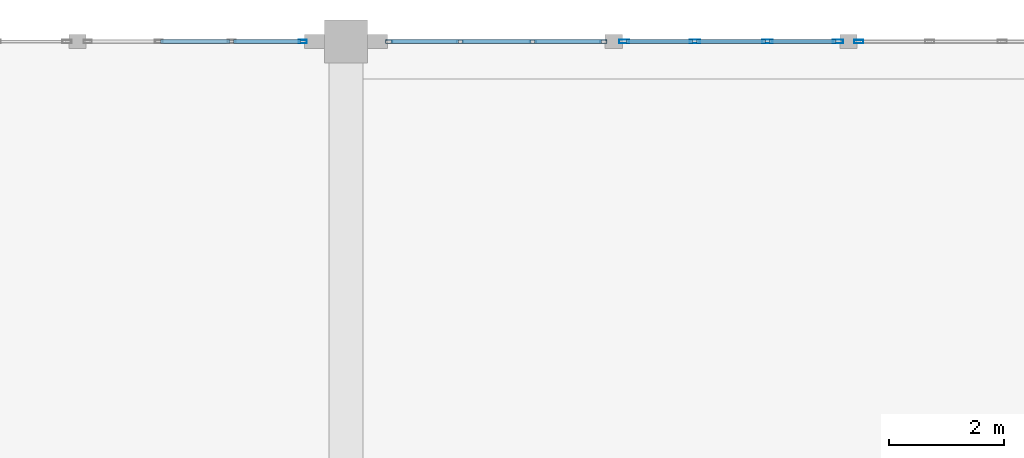
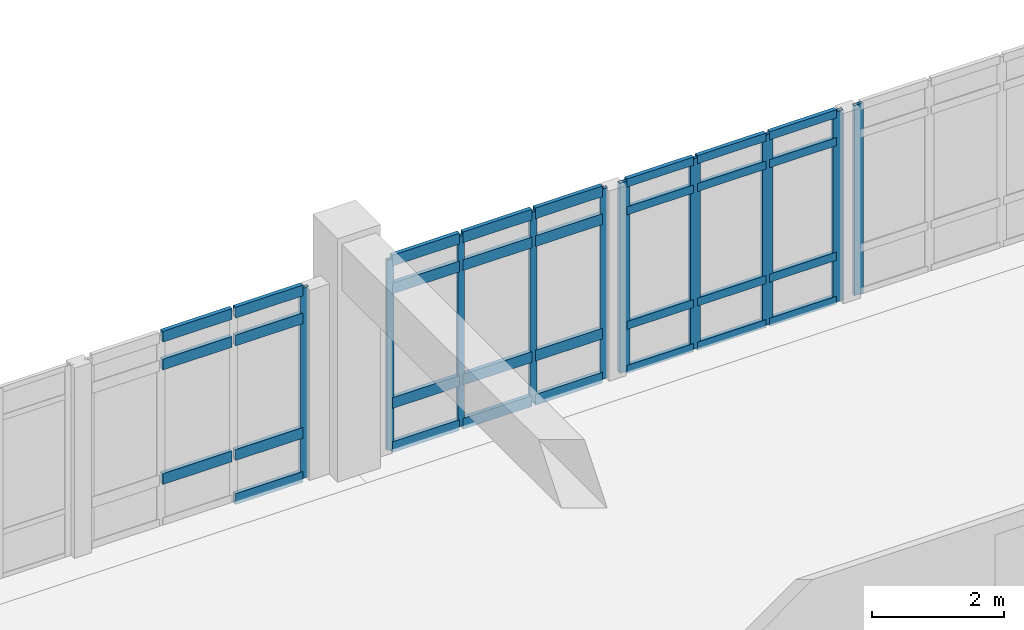
# One storey, part 46 of 109: 41 members, 4 elements without a shape of their own.
"""IFC4 building model written with IfcOpenShell, lengths in metres."""

from ifc_helpers import new_model, si_unit, direction, frame, origin, origin_2d, place, context, subcontext, project, spatial, hollow_rectangle, extrude, material, layer, layer_set, material_profile, profile_set, type_object, element, aggregate, save


model = new_model("IFC4")

# Units and contexts
model_context = context("Model", 3, precision=1e-05, world=origin(), true_north=direction((0.0, 1.0)))
body_context = subcontext(model_context, "Body", "Model", "MODEL_VIEW")
ifc_project = project(units=[si_unit("LENGTHUNIT", "METRE"), si_unit("AREAUNIT", "SQUARE_METRE"), si_unit("VOLUMEUNIT", "CUBIC_METRE"), si_unit("PLANEANGLEUNIT", "RADIAN"), si_unit("MASSUNIT", "GRAM", prefix="KILO")], contexts=[model_context])

# Site, building, storey
site_placement = place(None, origin())
site = spatial("IfcSite", under=ifc_project, at=site_placement, CompositionType="ELEMENT")
building_placement = place(site_placement, origin())
building = spatial("IfcBuilding", under=site, at=building_placement, Name="Fikremerkos Civic Library", CompositionType="ELEMENT")
storey_placement = place(building_placement, frame((0.0, 0.0, 5.39990234375)))
storey = spatial("IfcBuildingStorey", under=building, at=storey_placement, Name="L01", CompositionType="ELEMENT", Elevation=5.39990234375)

# Curtain wall, members
ifc_material = material(Name="Anodized aluminium Frame", Category="aluminium")
ifc_layer_1 = layer(ifc_material, 0.159912109375, Name="Anodized aluminium Frame")
ifc_layer_set_1 = layer_set([ifc_layer_1], Name="Anodized aluminium Frame")
curtain_wall_type_1 = type_object("IfcCurtainWallType", Name="Unitised curtain wall CW-09 3600x3400", PredefinedType="USERDEFINED", material=ifc_layer_set_1)
curtain_wall_1_placement = place(storey_placement, origin())
curtain_wall_1 = element("IfcCurtainWall", 1, at=curtain_wall_1_placement, inside=storey, type_object=curtain_wall_type_1, Name="Unitised curtain wall CW-09 L01 #135", ObjectType="UNITISED CURTAIN WALL", PredefinedType="USERDEFINED")
ifc_material_profile_1 = material_profile(ifc_material, hollow_rectangle(XDim=0.06494140625, YDim=0.179931640625, WallThickness=0.00439453125, at=origin_2d()), Name="ALU 180x65x4.5")
ifc_profile_set_1 = profile_set([ifc_material_profile_1], Name="Anodized aluminium Frame")
member_type_1 = type_object("IfcMemberType", Name="Curtain mullion CWM-01 ALU 180x65x4.5", PredefinedType="MULLION", material=ifc_profile_set_1)
member_1_placement = place(storey_placement, frame((91.548583984375, 117.60009765625, 0.0), z_axis=(0.0, 0.0, 1.0), x_axis=(0.0, 1.0, 0.0)))
member_1 = element("IfcMember", 2, at=member_1_placement, type_object=member_type_1, Name="CW-09 mullion 1", PredefinedType="MULLION", context=body_context, shape_type="SweptSolid", body=[
    extrude(hollow_rectangle(XDim=0.06494140625, YDim=0.179931640625, WallThickness=0.00439453125, at=origin_2d()), origin(), (0.0, 0.0, 1.0), 3.517333984375),
])
member_2_placement = place(storey_placement, frame((92.7802734375, 117.60009765625, 0.0), z_axis=(0.0, 0.0, 1.0), x_axis=(0.0, 1.0, 0.0)))
member_2 = element("IfcMember", 3, at=member_2_placement, type_object=member_type_1, Name="CW-09 mullion 2", PredefinedType="MULLION", context=body_context, shape_type="SweptSolid", body=[
    extrude(hollow_rectangle(XDim=0.06494140625, YDim=0.179931640625, WallThickness=0.00439453125, at=origin_2d()), origin(), (0.0, 0.0, 1.0), 3.517333984375),
])
member_3_placement = place(storey_placement, frame((94.044677734375, 117.60009765625, 0.0), z_axis=(0.0, 0.0, 1.0), x_axis=(0.0, 1.0, 0.0)))
member_3 = element("IfcMember", 4, at=member_3_placement, type_object=member_type_1, Name="CW-09 mullion 3", PredefinedType="MULLION", context=body_context, shape_type="SweptSolid", body=[
    extrude(hollow_rectangle(XDim=0.06494140625, YDim=0.179931640625, WallThickness=0.00439453125, at=origin_2d()), origin(), (0.0, 0.0, 1.0), 3.517333984375),
])
member_4_placement = place(storey_placement, frame((95.276611328125, 117.60009765625, 0.0), z_axis=(0.0, 0.0, 1.0), x_axis=(0.0, 1.0, 0.0)))
member_4 = element("IfcMember", 5, at=member_4_placement, type_object=member_type_1, Name="CW-09 mullion 4", PredefinedType="MULLION", context=body_context, shape_type="SweptSolid", body=[
    extrude(hollow_rectangle(XDim=0.06494140625, YDim=0.179931640625, WallThickness=0.00439453125, at=origin_2d()), origin(), (0.0, 0.0, 1.0), 3.517333984375),
])

# Curtain wall, member
ifc_layer_2 = layer(ifc_material, 0.159912109375, Name="Anodized aluminium Frame")
ifc_layer_set_2 = layer_set([ifc_layer_2], Name="Anodized aluminium Frame")
curtain_wall_type_2 = type_object("IfcCurtainWallType", Name="Unitised curtain wall CW-10 4000x3400", PredefinedType="USERDEFINED", material=ifc_layer_set_2)
curtain_wall_2_placement = place(storey_placement, origin())
curtain_wall_2 = element("IfcCurtainWall", 6, at=curtain_wall_2_placement, inside=storey, type_object=curtain_wall_type_2, Name="Unitised curtain wall CW-10 L01 #136", ObjectType="UNITISED CURTAIN WALL", PredefinedType="USERDEFINED")
ifc_material_profile_2 = material_profile(ifc_material, hollow_rectangle(XDim=0.06005859375, YDim=0.159912109375, WallThickness=0.00390625, at=origin_2d()), Name="ALU 160x60x4")
ifc_profile_set_2 = profile_set([ifc_material_profile_2], Name="Anodized aluminium Frame")
member_type_2 = type_object("IfcMemberType", Name="Curtain mullion CWM-02 ALU 160x60x4", PredefinedType="MULLION", material=ifc_profile_set_2)
member_5_placement = place(storey_placement, frame((95.638916015625, 117.60009765625, 0.0), z_axis=(0.0, 0.0, 1.0), x_axis=(0.0, 1.0, 0.0)))
member_5 = element("IfcMember", 7, at=member_5_placement, type_object=member_type_2, Name="CW-10 mullion 1", PredefinedType="MULLION", context=body_context, shape_type="SweptSolid", body=[
    extrude(hollow_rectangle(XDim=0.06005859375, YDim=0.159912109375, WallThickness=0.00390625, at=origin_2d()), origin(), (0.0, 0.0, 1.0), 3.517333984375),
])
aggregate(curtain_wall_2, [member_5])

ifc_layer_3 = layer(ifc_material, 0.159912109375, Name="Anodized aluminium Frame")
ifc_layer_set_3 = layer_set([ifc_layer_3], Name="Anodized aluminium Frame")
curtain_wall_type_3 = type_object("IfcCurtainWallType", Name="Unitised curtain wall CW-07 3500x4100", PredefinedType="USERDEFINED", material=ifc_layer_set_3)
curtain_wall_3_placement = place(storey_placement, origin())
curtain_wall_3 = element("IfcCurtainWall", 8, at=curtain_wall_3_placement, inside=storey, type_object=curtain_wall_type_3, Name="Unitised curtain wall CW-07 L01 #133", ObjectType="UNITISED CURTAIN WALL", PredefinedType="USERDEFINED")
ifc_material_profile_3 = material_profile(ifc_material, hollow_rectangle(XDim=0.06005859375, YDim=0.139892578125, WallThickness=0.00390625, at=origin_2d()), Name="ALU 140x60x4")
ifc_profile_set_3 = profile_set([ifc_material_profile_3], Name="Anodized aluminium Frame")
member_type_3 = type_object("IfcMemberType", Name="Curtain mullion CWM-03 ALU 140x60x4", PredefinedType="MULLION", material=ifc_profile_set_3)
member_6_placement = place(storey_placement, frame((85.947021484375, 117.60009765625, 0.0), z_axis=(0.0, 0.0, 1.0), x_axis=(0.0, 1.0, 0.0)))
member_6 = element("IfcMember", 9, at=member_6_placement, type_object=member_type_3, Name="CW-07 mullion 4", PredefinedType="MULLION", context=body_context, shape_type="SweptSolid", body=[
    extrude(hollow_rectangle(XDim=0.06005859375, YDim=0.139892578125, WallThickness=0.00390625, at=origin_2d()), origin(), (0.0, 0.0, 1.0), 3.517333984375),
])

# Curtain wall, members
ifc_layer_4 = layer(ifc_material, 0.159912109375, Name="Anodized aluminium Frame")
ifc_layer_set_4 = layer_set([ifc_layer_4], Name="Anodized aluminium Frame")
curtain_wall_type_4 = type_object("IfcCurtainWallType", Name="Unitised curtain wall CW-08 4500x4100", PredefinedType="USERDEFINED", material=ifc_layer_set_4)
curtain_wall_4_placement = place(storey_placement, origin())
curtain_wall_4 = element("IfcCurtainWall", 10, at=curtain_wall_4_placement, inside=storey, type_object=curtain_wall_type_4, Name="Unitised curtain wall CW-08 L01 #134", ObjectType="UNITISED CURTAIN WALL", PredefinedType="USERDEFINED")
ifc_material_profile_4 = material_profile(ifc_material, hollow_rectangle(XDim=0.06005859375, YDim=0.1201171875, WallThickness=0.00390625, at=origin_2d()), Name="ALU 120x60x4")
ifc_profile_set_4 = profile_set([ifc_material_profile_4], Name="Anodized aluminium Frame")
member_type_4 = type_object("IfcMemberType", Name="Curtain mullion CWM-04 ALU 120x60x4", PredefinedType="MULLION", material=ifc_profile_set_4)
member_7_placement = place(storey_placement, frame((87.452880859375, 117.60009765625, 0.0), z_axis=(0.0, 0.0, 1.0), x_axis=(0.0, 1.0, 0.0)))
member_7 = element("IfcMember", 11, at=member_7_placement, type_object=member_type_4, Name="CW-08 mullion 1", PredefinedType="MULLION", context=body_context, shape_type="SweptSolid", body=[
    extrude(hollow_rectangle(XDim=0.06005859375, YDim=0.1201171875, WallThickness=0.00390625, at=origin_2d()), origin(), (0.0, 0.0, 1.0), 3.517333984375),
])
member_8_placement = place(storey_placement, frame((88.687255859375, 117.60009765625, 0.0), z_axis=(0.0, 0.0, 1.0), x_axis=(0.0, 1.0, 0.0)))
member_8 = element("IfcMember", 12, at=member_8_placement, type_object=member_type_4, Name="CW-08 mullion 2", PredefinedType="MULLION", context=body_context, shape_type="SweptSolid", body=[
    extrude(hollow_rectangle(XDim=0.06005859375, YDim=0.1201171875, WallThickness=0.00390625, at=origin_2d()), origin(), (0.0, 0.0, 1.0), 3.517333984375),
])
member_9_placement = place(storey_placement, frame((89.95166015625, 117.60009765625, 0.0), z_axis=(0.0, 0.0, 1.0), x_axis=(0.0, 1.0, 0.0)))
member_9 = element("IfcMember", 13, at=member_9_placement, type_object=member_type_4, Name="CW-08 mullion 3", PredefinedType="MULLION", context=body_context, shape_type="SweptSolid", body=[
    extrude(hollow_rectangle(XDim=0.06005859375, YDim=0.1201171875, WallThickness=0.00390625, at=origin_2d()), origin(), (0.0, 0.0, 1.0), 3.517333984375),
])
member_10_placement = place(storey_placement, frame((91.18603515625, 117.60009765625, 0.0), z_axis=(0.0, 0.0, 1.0), x_axis=(0.0, 1.0, 0.0)))
member_10 = element("IfcMember", 14, at=member_10_placement, type_object=member_type_4, Name="CW-08 mullion 4", PredefinedType="MULLION", context=body_context, shape_type="SweptSolid", body=[
    extrude(hollow_rectangle(XDim=0.06005859375, YDim=0.1201171875, WallThickness=0.00390625, at=origin_2d()), origin(), (0.0, 0.0, 1.0), 3.517333984375),
])

# Member
ifc_material_profile_5 = material_profile(ifc_material, hollow_rectangle(XDim=0.070068359375, YDim=0.14990234375, WallThickness=0.00439453125, at=origin_2d()), Name="ALU 150x70x4.5")
ifc_profile_set_5 = profile_set([ifc_material_profile_5], Name="Anodized aluminium Frame")
member_type_5 = type_object("IfcMemberType", Name="Curtain transom CWT-01 ALU 150x70x4.5", PredefinedType="USERDEFINED", material=ifc_profile_set_5)
member_11_placement = place(storey_placement, frame((91.5810546875, 117.60009765625, 0.03515625), z_axis=(1.0, 0.0, 0.0), x_axis=(0.0, 1.0, 0.0)))
member_11 = element("IfcMember", 15, at=member_11_placement, type_object=member_type_5, Name="CW-09 transom 1.1", ObjectType="TRANSOM", PredefinedType="USERDEFINED", context=body_context, shape_type="SweptSolid", body=[
    extrude(hollow_rectangle(XDim=0.070068359375, YDim=0.14990234375, WallThickness=0.00439453125, at=origin_2d()), origin(), (0.0, 0.0, 1.0), 1.166748046875),
])

member_12_placement = place(storey_placement, frame((91.5810546875, 117.60009765625, 0.85009765625), z_axis=(1.0, 0.0, 0.0), x_axis=(0.0, 1.0, 0.0)))
member_12 = element("IfcMember", 16, at=member_12_placement, type_object=member_type_5, Name="CW-09 transom 1.2", ObjectType="TRANSOM", PredefinedType="USERDEFINED", context=body_context, shape_type="SweptSolid", body=[
    extrude(hollow_rectangle(XDim=0.070068359375, YDim=0.14990234375, WallThickness=0.00439453125, at=origin_2d()), origin(), (0.0, 0.0, 1.0), 1.166748046875),
])

member_13_placement = place(storey_placement, frame((91.5810546875, 117.60009765625, 2.96728515625), z_axis=(1.0, 0.0, 0.0), x_axis=(0.0, 1.0, 0.0)))
member_13 = element("IfcMember", 17, at=member_13_placement, type_object=member_type_5, Name="CW-09 transom 1.3", ObjectType="TRANSOM", PredefinedType="USERDEFINED", context=body_context, shape_type="SweptSolid", body=[
    extrude(hollow_rectangle(XDim=0.070068359375, YDim=0.14990234375, WallThickness=0.00439453125, at=origin_2d()), origin(), (0.0, 0.0, 1.0), 1.166748046875),
])

member_14_placement = place(storey_placement, frame((91.5810546875, 117.60009765625, 3.482177734375), z_axis=(1.0, 0.0, 0.0), x_axis=(0.0, 1.0, 0.0)))
member_14 = element("IfcMember", 18, at=member_14_placement, type_object=member_type_5, Name="CW-09 transom 1.4", ObjectType="TRANSOM", PredefinedType="USERDEFINED", context=body_context, shape_type="SweptSolid", body=[
    extrude(hollow_rectangle(XDim=0.070068359375, YDim=0.14990234375, WallThickness=0.00439453125, at=origin_2d()), origin(), (0.0, 0.0, 1.0), 1.166748046875),
])

member_15_placement = place(storey_placement, frame((92.812744140625, 117.60009765625, 0.03515625), z_axis=(1.0, 0.0, 0.0), x_axis=(0.0, 1.0, 0.0)))
member_15 = element("IfcMember", 19, at=member_15_placement, type_object=member_type_5, Name="CW-09 transom 2.1", ObjectType="TRANSOM", PredefinedType="USERDEFINED", context=body_context, shape_type="SweptSolid", body=[
    extrude(hollow_rectangle(XDim=0.070068359375, YDim=0.14990234375, WallThickness=0.00439453125, at=origin_2d()), origin(), (0.0, 0.0, 1.0), 1.199462890625),
])

member_16_placement = place(storey_placement, frame((92.812744140625, 117.60009765625, 0.85009765625), z_axis=(1.0, 0.0, 0.0), x_axis=(0.0, 1.0, 0.0)))
member_16 = element("IfcMember", 20, at=member_16_placement, type_object=member_type_5, Name="CW-09 transom 2.2", ObjectType="TRANSOM", PredefinedType="USERDEFINED", context=body_context, shape_type="SweptSolid", body=[
    extrude(hollow_rectangle(XDim=0.070068359375, YDim=0.14990234375, WallThickness=0.00439453125, at=origin_2d()), origin(), (0.0, 0.0, 1.0), 1.199462890625),
])

member_17_placement = place(storey_placement, frame((92.812744140625, 117.60009765625, 2.96728515625), z_axis=(1.0, 0.0, 0.0), x_axis=(0.0, 1.0, 0.0)))
member_17 = element("IfcMember", 21, at=member_17_placement, type_object=member_type_5, Name="CW-09 transom 2.3", ObjectType="TRANSOM", PredefinedType="USERDEFINED", context=body_context, shape_type="SweptSolid", body=[
    extrude(hollow_rectangle(XDim=0.070068359375, YDim=0.14990234375, WallThickness=0.00439453125, at=origin_2d()), origin(), (0.0, 0.0, 1.0), 1.199462890625),
])

member_18_placement = place(storey_placement, frame((92.812744140625, 117.60009765625, 3.482177734375), z_axis=(1.0, 0.0, 0.0), x_axis=(0.0, 1.0, 0.0)))
member_18 = element("IfcMember", 22, at=member_18_placement, type_object=member_type_5, Name="CW-09 transom 2.4", ObjectType="TRANSOM", PredefinedType="USERDEFINED", context=body_context, shape_type="SweptSolid", body=[
    extrude(hollow_rectangle(XDim=0.070068359375, YDim=0.14990234375, WallThickness=0.00439453125, at=origin_2d()), origin(), (0.0, 0.0, 1.0), 1.199462890625),
])

member_19_placement = place(storey_placement, frame((94.0771484375, 117.60009765625, 0.03515625), z_axis=(1.0, 0.0, 0.0), x_axis=(0.0, 1.0, 0.0)))
member_19 = element("IfcMember", 23, at=member_19_placement, type_object=member_type_5, Name="CW-09 transom 3.1", ObjectType="TRANSOM", PredefinedType="USERDEFINED", context=body_context, shape_type="SweptSolid", body=[
    extrude(hollow_rectangle(XDim=0.070068359375, YDim=0.14990234375, WallThickness=0.00439453125, at=origin_2d()), origin(), (0.0, 0.0, 1.0), 1.166748046875),
])

member_20_placement = place(storey_placement, frame((94.0771484375, 117.60009765625, 0.85009765625), z_axis=(1.0, 0.0, 0.0), x_axis=(0.0, 1.0, 0.0)))
member_20 = element("IfcMember", 24, at=member_20_placement, type_object=member_type_5, Name="CW-09 transom 3.2", ObjectType="TRANSOM", PredefinedType="USERDEFINED", context=body_context, shape_type="SweptSolid", body=[
    extrude(hollow_rectangle(XDim=0.070068359375, YDim=0.14990234375, WallThickness=0.00439453125, at=origin_2d()), origin(), (0.0, 0.0, 1.0), 1.166748046875),
])

member_21_placement = place(storey_placement, frame((94.0771484375, 117.60009765625, 2.96728515625), z_axis=(1.0, 0.0, 0.0), x_axis=(0.0, 1.0, 0.0)))
member_21 = element("IfcMember", 25, at=member_21_placement, type_object=member_type_5, Name="CW-09 transom 3.3", ObjectType="TRANSOM", PredefinedType="USERDEFINED", context=body_context, shape_type="SweptSolid", body=[
    extrude(hollow_rectangle(XDim=0.070068359375, YDim=0.14990234375, WallThickness=0.00439453125, at=origin_2d()), origin(), (0.0, 0.0, 1.0), 1.166748046875),
])

member_22_placement = place(storey_placement, frame((94.0771484375, 117.60009765625, 3.482177734375), z_axis=(1.0, 0.0, 0.0), x_axis=(0.0, 1.0, 0.0)))
member_22 = element("IfcMember", 26, at=member_22_placement, type_object=member_type_5, Name="CW-09 transom 3.4", ObjectType="TRANSOM", PredefinedType="USERDEFINED", context=body_context, shape_type="SweptSolid", body=[
    extrude(hollow_rectangle(XDim=0.070068359375, YDim=0.14990234375, WallThickness=0.00439453125, at=origin_2d()), origin(), (0.0, 0.0, 1.0), 1.166748046875),
])

aggregate(curtain_wall_1, [member_1, member_2, member_3, member_4, member_11, member_12, member_13, member_14, member_15, member_16, member_17, member_18, member_19, member_20, member_21, member_22])

ifc_material_profile_6 = material_profile(ifc_material, hollow_rectangle(XDim=0.070068359375, YDim=0.199951171875, WallThickness=0.0048828125, at=origin_2d()), Name="ALU 200x70x5")
ifc_profile_set_6 = profile_set([ifc_material_profile_6], Name="Anodized aluminium Frame")
member_type_6 = type_object("IfcMemberType", Name="Curtain transom CWT-04 ALU 200x70x5", PredefinedType="USERDEFINED", material=ifc_profile_set_6)
member_23_placement = place(storey_placement, frame((83.46728515625, 117.60009765625, 0.85009765625), z_axis=(1.0, 0.0, 0.0), x_axis=(0.0, 1.0, 0.0)))
member_23 = element("IfcMember", 27, at=member_23_placement, type_object=member_type_6, Name="CW-07 transom 2.2", ObjectType="TRANSOM", PredefinedType="USERDEFINED", context=body_context, shape_type="SweptSolid", body=[
    extrude(hollow_rectangle(XDim=0.070068359375, YDim=0.199951171875, WallThickness=0.0048828125, at=origin_2d()), origin(), (0.0, 0.0, 1.0), 1.209716796875),
])

member_24_placement = place(storey_placement, frame((83.46728515625, 117.60009765625, 2.96728515625), z_axis=(1.0, 0.0, 0.0), x_axis=(0.0, 1.0, 0.0)))
member_24 = element("IfcMember", 28, at=member_24_placement, type_object=member_type_6, Name="CW-07 transom 2.3", ObjectType="TRANSOM", PredefinedType="USERDEFINED", context=body_context, shape_type="SweptSolid", body=[
    extrude(hollow_rectangle(XDim=0.070068359375, YDim=0.199951171875, WallThickness=0.0048828125, at=origin_2d()), origin(), (0.0, 0.0, 1.0), 1.209716796875),
])

member_25_placement = place(storey_placement, frame((83.46728515625, 117.60009765625, 3.482177734375), z_axis=(1.0, 0.0, 0.0), x_axis=(0.0, 1.0, 0.0)))
member_25 = element("IfcMember", 29, at=member_25_placement, type_object=member_type_6, Name="CW-07 transom 2.4", ObjectType="TRANSOM", PredefinedType="USERDEFINED", context=body_context, shape_type="SweptSolid", body=[
    extrude(hollow_rectangle(XDim=0.070068359375, YDim=0.199951171875, WallThickness=0.0048828125, at=origin_2d()), origin(), (0.0, 0.0, 1.0), 1.209716796875),
])

member_26_placement = place(storey_placement, frame((84.737060546875, 117.60009765625, 0.03515625), z_axis=(1.0, 0.0, 0.0), x_axis=(0.0, 1.0, 0.0)))
member_26 = element("IfcMember", 30, at=member_26_placement, type_object=member_type_6, Name="CW-07 transom 3.1", ObjectType="TRANSOM", PredefinedType="USERDEFINED", context=body_context, shape_type="SweptSolid", body=[
    extrude(hollow_rectangle(XDim=0.070068359375, YDim=0.199951171875, WallThickness=0.0048828125, at=origin_2d()), origin(), (0.0, 0.0, 1.0), 1.179931640625),
])

member_27_placement = place(storey_placement, frame((84.737060546875, 117.60009765625, 0.85009765625), z_axis=(1.0, 0.0, 0.0), x_axis=(0.0, 1.0, 0.0)))
member_27 = element("IfcMember", 31, at=member_27_placement, type_object=member_type_6, Name="CW-07 transom 3.2", ObjectType="TRANSOM", PredefinedType="USERDEFINED", context=body_context, shape_type="SweptSolid", body=[
    extrude(hollow_rectangle(XDim=0.070068359375, YDim=0.199951171875, WallThickness=0.0048828125, at=origin_2d()), origin(), (0.0, 0.0, 1.0), 1.179931640625),
])

member_28_placement = place(storey_placement, frame((84.737060546875, 117.60009765625, 2.96728515625), z_axis=(1.0, 0.0, 0.0), x_axis=(0.0, 1.0, 0.0)))
member_28 = element("IfcMember", 32, at=member_28_placement, type_object=member_type_6, Name="CW-07 transom 3.3", ObjectType="TRANSOM", PredefinedType="USERDEFINED", context=body_context, shape_type="SweptSolid", body=[
    extrude(hollow_rectangle(XDim=0.070068359375, YDim=0.199951171875, WallThickness=0.0048828125, at=origin_2d()), origin(), (0.0, 0.0, 1.0), 1.179931640625),
])

member_29_placement = place(storey_placement, frame((84.737060546875, 117.60009765625, 3.482177734375), z_axis=(1.0, 0.0, 0.0), x_axis=(0.0, 1.0, 0.0)))
member_29 = element("IfcMember", 33, at=member_29_placement, type_object=member_type_6, Name="CW-07 transom 3.4", ObjectType="TRANSOM", PredefinedType="USERDEFINED", context=body_context, shape_type="SweptSolid", body=[
    extrude(hollow_rectangle(XDim=0.070068359375, YDim=0.199951171875, WallThickness=0.0048828125, at=origin_2d()), origin(), (0.0, 0.0, 1.0), 1.179931640625),
])

aggregate(curtain_wall_3, [member_6, member_23, member_24, member_25, member_26, member_27, member_28, member_29])

member_30_placement = place(storey_placement, frame((87.48291015625, 117.60009765625, 0.03515625), z_axis=(1.0, 0.0, 0.0), x_axis=(0.0, 1.0, 0.0)))
member_30 = element("IfcMember", 34, at=member_30_placement, type_object=member_type_6, Name="CW-08 transom 1.1", ObjectType="TRANSOM", PredefinedType="USERDEFINED", context=body_context, shape_type="SweptSolid", body=[
    extrude(hollow_rectangle(XDim=0.070068359375, YDim=0.199951171875, WallThickness=0.0048828125, at=origin_2d()), origin(), (0.0, 0.0, 1.0), 1.17431640625),
])

member_31_placement = place(storey_placement, frame((87.48291015625, 117.60009765625, 0.85009765625), z_axis=(1.0, 0.0, 0.0), x_axis=(0.0, 1.0, 0.0)))
member_31 = element("IfcMember", 35, at=member_31_placement, type_object=member_type_6, Name="CW-08 transom 1.2", ObjectType="TRANSOM", PredefinedType="USERDEFINED", context=body_context, shape_type="SweptSolid", body=[
    extrude(hollow_rectangle(XDim=0.070068359375, YDim=0.199951171875, WallThickness=0.0048828125, at=origin_2d()), origin(), (0.0, 0.0, 1.0), 1.17431640625),
])

member_32_placement = place(storey_placement, frame((87.48291015625, 117.60009765625, 2.96728515625), z_axis=(1.0, 0.0, 0.0), x_axis=(0.0, 1.0, 0.0)))
member_32 = element("IfcMember", 36, at=member_32_placement, type_object=member_type_6, Name="CW-08 transom 1.3", ObjectType="TRANSOM", PredefinedType="USERDEFINED", context=body_context, shape_type="SweptSolid", body=[
    extrude(hollow_rectangle(XDim=0.070068359375, YDim=0.199951171875, WallThickness=0.0048828125, at=origin_2d()), origin(), (0.0, 0.0, 1.0), 1.17431640625),
])

member_33_placement = place(storey_placement, frame((87.48291015625, 117.60009765625, 3.482177734375), z_axis=(1.0, 0.0, 0.0), x_axis=(0.0, 1.0, 0.0)))
member_33 = element("IfcMember", 37, at=member_33_placement, type_object=member_type_6, Name="CW-08 transom 1.4", ObjectType="TRANSOM", PredefinedType="USERDEFINED", context=body_context, shape_type="SweptSolid", body=[
    extrude(hollow_rectangle(XDim=0.070068359375, YDim=0.199951171875, WallThickness=0.0048828125, at=origin_2d()), origin(), (0.0, 0.0, 1.0), 1.17431640625),
])

member_34_placement = place(storey_placement, frame((88.71728515625, 117.60009765625, 0.03515625), z_axis=(1.0, 0.0, 0.0), x_axis=(0.0, 1.0, 0.0)))
member_34 = element("IfcMember", 38, at=member_34_placement, type_object=member_type_6, Name="CW-08 transom 2.1", ObjectType="TRANSOM", PredefinedType="USERDEFINED", context=body_context, shape_type="SweptSolid", body=[
    extrude(hollow_rectangle(XDim=0.070068359375, YDim=0.199951171875, WallThickness=0.0048828125, at=origin_2d()), origin(), (0.0, 0.0, 1.0), 1.204345703125),
])

member_35_placement = place(storey_placement, frame((88.71728515625, 117.60009765625, 0.85009765625), z_axis=(1.0, 0.0, 0.0), x_axis=(0.0, 1.0, 0.0)))
member_35 = element("IfcMember", 39, at=member_35_placement, type_object=member_type_6, Name="CW-08 transom 2.2", ObjectType="TRANSOM", PredefinedType="USERDEFINED", context=body_context, shape_type="SweptSolid", body=[
    extrude(hollow_rectangle(XDim=0.070068359375, YDim=0.199951171875, WallThickness=0.0048828125, at=origin_2d()), origin(), (0.0, 0.0, 1.0), 1.204345703125),
])

member_36_placement = place(storey_placement, frame((88.71728515625, 117.60009765625, 2.96728515625), z_axis=(1.0, 0.0, 0.0), x_axis=(0.0, 1.0, 0.0)))
member_36 = element("IfcMember", 40, at=member_36_placement, type_object=member_type_6, Name="CW-08 transom 2.3", ObjectType="TRANSOM", PredefinedType="USERDEFINED", context=body_context, shape_type="SweptSolid", body=[
    extrude(hollow_rectangle(XDim=0.070068359375, YDim=0.199951171875, WallThickness=0.0048828125, at=origin_2d()), origin(), (0.0, 0.0, 1.0), 1.204345703125),
])

member_37_placement = place(storey_placement, frame((88.71728515625, 117.60009765625, 3.482177734375), z_axis=(1.0, 0.0, 0.0), x_axis=(0.0, 1.0, 0.0)))
member_37 = element("IfcMember", 41, at=member_37_placement, type_object=member_type_6, Name="CW-08 transom 2.4", ObjectType="TRANSOM", PredefinedType="USERDEFINED", context=body_context, shape_type="SweptSolid", body=[
    extrude(hollow_rectangle(XDim=0.070068359375, YDim=0.199951171875, WallThickness=0.0048828125, at=origin_2d()), origin(), (0.0, 0.0, 1.0), 1.204345703125),
])

member_38_placement = place(storey_placement, frame((89.981689453125, 117.60009765625, 0.03515625), z_axis=(1.0, 0.0, 0.0), x_axis=(0.0, 1.0, 0.0)))
member_38 = element("IfcMember", 42, at=member_38_placement, type_object=member_type_6, Name="CW-08 transom 3.1", ObjectType="TRANSOM", PredefinedType="USERDEFINED", context=body_context, shape_type="SweptSolid", body=[
    extrude(hollow_rectangle(XDim=0.070068359375, YDim=0.199951171875, WallThickness=0.0048828125, at=origin_2d()), origin(), (0.0, 0.0, 1.0), 1.17431640625),
])

member_39_placement = place(storey_placement, frame((89.981689453125, 117.60009765625, 0.85009765625), z_axis=(1.0, 0.0, 0.0), x_axis=(0.0, 1.0, 0.0)))
member_39 = element("IfcMember", 43, at=member_39_placement, type_object=member_type_6, Name="CW-08 transom 3.2", ObjectType="TRANSOM", PredefinedType="USERDEFINED", context=body_context, shape_type="SweptSolid", body=[
    extrude(hollow_rectangle(XDim=0.070068359375, YDim=0.199951171875, WallThickness=0.0048828125, at=origin_2d()), origin(), (0.0, 0.0, 1.0), 1.17431640625),
])

member_40_placement = place(storey_placement, frame((89.981689453125, 117.60009765625, 2.96728515625), z_axis=(1.0, 0.0, 0.0), x_axis=(0.0, 1.0, 0.0)))
member_40 = element("IfcMember", 44, at=member_40_placement, type_object=member_type_6, Name="CW-08 transom 3.3", ObjectType="TRANSOM", PredefinedType="USERDEFINED", context=body_context, shape_type="SweptSolid", body=[
    extrude(hollow_rectangle(XDim=0.070068359375, YDim=0.199951171875, WallThickness=0.0048828125, at=origin_2d()), origin(), (0.0, 0.0, 1.0), 1.17431640625),
])

member_41_placement = place(storey_placement, frame((89.981689453125, 117.60009765625, 3.482177734375), z_axis=(1.0, 0.0, 0.0), x_axis=(0.0, 1.0, 0.0)))
member_41 = element("IfcMember", 45, at=member_41_placement, type_object=member_type_6, Name="CW-08 transom 3.4", ObjectType="TRANSOM", PredefinedType="USERDEFINED", context=body_context, shape_type="SweptSolid", body=[
    extrude(hollow_rectangle(XDim=0.070068359375, YDim=0.199951171875, WallThickness=0.0048828125, at=origin_2d()), origin(), (0.0, 0.0, 1.0), 1.17431640625),
])

aggregate(curtain_wall_4, [member_7, member_8, member_9, member_10, member_30, member_31, member_32, member_33, member_34, member_35, member_36, member_37, member_38, member_39, member_40, member_41])

save(model, "model.ifc")
